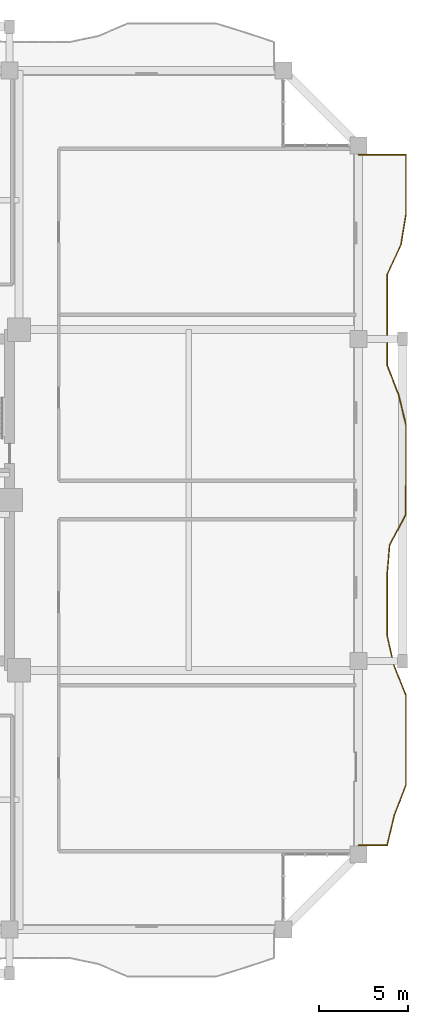
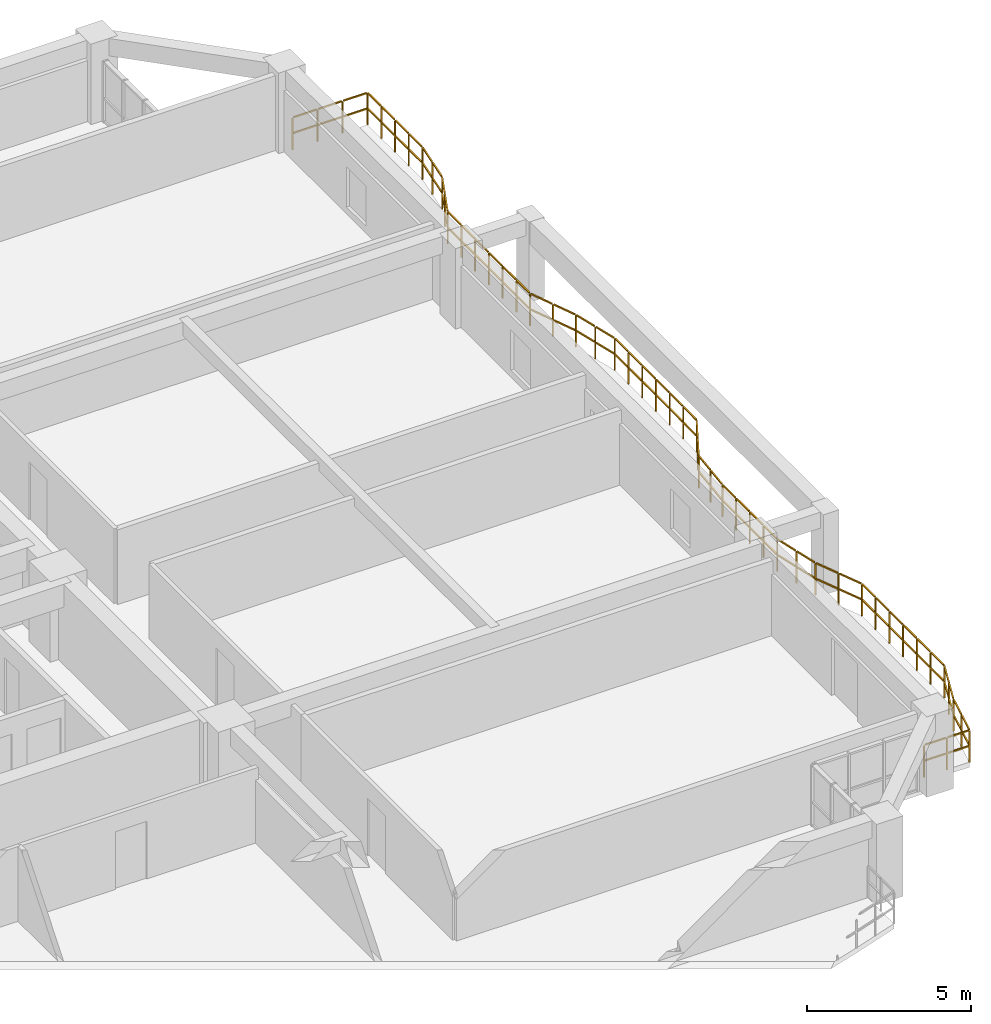
# One storey, part 21 of 22: 1 railing.
"""IFC4 building model written with IfcOpenShell, lengths in metres."""

from ifc_helpers import new_model, si_unit, direction, frame, origin, origin_2d, place, context, subcontext, project, spatial, rectangle, extrude, material, type_object, element, save


model = new_model("IFC4")

# Units and contexts
model_context = context("Model", 3, precision=1e-05, world=origin(), true_north=direction((0.0, 1.0)))
body_context = subcontext(model_context, "Body", "Model", "MODEL_VIEW")
ifc_project = project(units=[si_unit("LENGTHUNIT", "METRE"), si_unit("AREAUNIT", "SQUARE_METRE"), si_unit("VOLUMEUNIT", "CUBIC_METRE"), si_unit("PLANEANGLEUNIT", "RADIAN"), si_unit("MASSUNIT", "GRAM", prefix="KILO")], contexts=[model_context])

# Site, building, storey
site_placement = place(None, origin())
site = spatial("IfcSite", under=ifc_project, at=site_placement, CompositionType="ELEMENT")
building_placement = place(site_placement, origin())
building = spatial("IfcBuilding", under=site, at=building_placement, Name="Saelheon Loggia Tower", CompositionType="ELEMENT")
storey_placement = place(building_placement, frame((0.0, 0.0, 135.75)))
storey = spatial("IfcBuildingStorey", under=building, at=storey_placement, Name="L43", CompositionType="ELEMENT", Elevation=135.75)

# Railing
ifc_material = material(Name="Architectural Precast Concrete and Laminated Glass Guard", Category="concrete")
railing_type = type_object("IfcRailingType", Name="Guard_Loggia_RL_LOG", PredefinedType="BALUSTRADE", material=ifc_material)
railing_placement = place(storey_placement, frame((64.0, 7.699951171875, 0.0)))
element("IfcRailing", 1, at=railing_placement, inside=storey, type_object=railing_type, Name="L43 East Loggia Balustrade", PredefinedType="BALUSTRADE", context=body_context, shape_type="SweptSolid", body=[
    extrude(rectangle(XDim=0.048095703125, YDim=0.048095703125, at=origin_2d()), frame((0.033203125, 0.0, 1.19580078125), z_axis=(1.0, 0.0, 0.0), x_axis=(0.0, 1.0, 0.0)), (0.0, 0.0, 1.0), 0.733642578125),
    extrude(rectangle(XDim=0.048095703125, YDim=0.048095703125, at=origin_2d()), frame((0.033203125, 0.0, 0.60986328125), z_axis=(1.0, 0.0, 0.0), x_axis=(0.0, 1.0, 0.0)), (0.0, 0.0, 1.0), 0.733642578125),
    extrude(rectangle(XDim=0.048095703125, YDim=0.048095703125, at=origin_2d()), frame((0.833251953125, 0.0, 1.19580078125), z_axis=(1.0, 0.0, 0.0), x_axis=(0.0, 1.0, 0.0)), (0.0, 0.0, 1.0), 0.733642578125),
    extrude(rectangle(XDim=0.048095703125, YDim=0.048095703125, at=origin_2d()), frame((0.833251953125, 0.0, 0.60986328125), z_axis=(1.0, 0.0, 0.0), x_axis=(0.0, 1.0, 0.0)), (0.0, 0.0, 1.0), 0.733642578125),
    extrude(rectangle(XDim=0.048095703125, YDim=0.048095703125, at=origin_2d()), frame((1.60791015625, 0.0322265625, 1.19580078125), z_axis=(0.233105455965, 0.972451462233, 0.0), x_axis=(-0.972451462233, 0.233105455965, 0.0)), (0.0, 0.0, 1.0), 0.796630859375),
    extrude(rectangle(XDim=0.048095703125, YDim=0.048095703125, at=origin_2d()), frame((1.60791015625, 0.0322265625, 0.60986328125), z_axis=(0.233105455965, 0.972451462233, 0.0), x_axis=(-0.972451462233, 0.233105455965, 0.0)), (0.0, 0.0, 1.0), 0.796630859375),
    extrude(rectangle(XDim=0.048095703125, YDim=0.048095703125, at=origin_2d()), frame((1.80908203125, 0.87158203125, 1.19580078125), z_axis=(0.233105455965, 0.972451462233, 0.0), x_axis=(-0.972451462233, 0.233105455965, 0.0)), (0.0, 0.0, 1.0), 0.796630859375),
    extrude(rectangle(XDim=0.048095703125, YDim=0.048095703125, at=origin_2d()), frame((1.80908203125, 0.87158203125, 0.60986328125), z_axis=(0.233105455965, 0.972451462233, 0.0), x_axis=(-0.972451462233, 0.233105455965, 0.0)), (0.0, 0.0, 1.0), 0.796630859375),
    extrude(rectangle(XDim=0.048095703125, YDim=0.048095703125, at=origin_2d()), frame((2.014404296875, 1.70947265625, 1.19580078125), z_axis=(0.359988539971, 0.932956725197, 0.0), x_axis=(-0.932956725197, 0.359988539971, 0.0)), (0.0, 0.0, 1.0), 0.832763671875),
    extrude(rectangle(XDim=0.048095703125, YDim=0.048095703125, at=origin_2d()), frame((2.014404296875, 1.70947265625, 0.60986328125), z_axis=(0.359988539971, 0.932956725197, 0.0), x_axis=(-0.932956725197, 0.359988539971, 0.0)), (0.0, 0.0, 1.0), 0.832763671875),
    extrude(rectangle(XDim=0.048095703125, YDim=0.048095703125, at=origin_2d()), frame((2.338134765625, 2.548583984375, 1.19580078125), z_axis=(0.359988539971, 0.932956725197, 0.0), x_axis=(-0.932956725197, 0.359988539971, 0.0)), (0.0, 0.0, 1.0), 0.832763671875),
    extrude(rectangle(XDim=0.048095703125, YDim=0.048095703125, at=origin_2d()), frame((2.338134765625, 2.548583984375, 0.60986328125), z_axis=(0.359988539971, 0.932956725197, 0.0), x_axis=(-0.932956725197, 0.359988539971, 0.0)), (0.0, 0.0, 1.0), 0.832763671875),
    extrude(rectangle(XDim=0.048095703125, YDim=0.048095703125, at=origin_2d()), frame((2.64990234375, 3.3896484375, 1.19580078125), z_axis=(0.0, 1.0, 0.0), x_axis=(-1.0, 0.0, 0.0)), (0.0, 0.0, 1.0), 0.772705078125),
    extrude(rectangle(XDim=0.048095703125, YDim=0.048095703125, at=origin_2d()), frame((2.64990234375, 3.3896484375, 0.60986328125), z_axis=(0.0, 1.0, 0.0), x_axis=(-1.0, 0.0, 0.0)), (0.0, 0.0, 1.0), 0.772705078125),
    extrude(rectangle(XDim=0.048095703125, YDim=0.048095703125, at=origin_2d()), frame((2.64990234375, 4.22900390625, 1.19580078125), z_axis=(0.0, 1.0, 0.0), x_axis=(-1.0, 0.0, 0.0)), (0.0, 0.0, 1.0), 0.772705078125),
    extrude(rectangle(XDim=0.048095703125, YDim=0.048095703125, at=origin_2d()), frame((2.64990234375, 4.22900390625, 0.60986328125), z_axis=(0.0, 1.0, 0.0), x_axis=(-1.0, 0.0, 0.0)), (0.0, 0.0, 1.0), 0.772705078125),
    extrude(rectangle(XDim=0.048095703125, YDim=0.048095703125, at=origin_2d()), frame((2.64990234375, 5.068115234375, 1.19580078125), z_axis=(0.0, 1.0, 0.0), x_axis=(-1.0, 0.0, 0.0)), (0.0, 0.0, 1.0), 0.772705078125),
    extrude(rectangle(XDim=0.048095703125, YDim=0.048095703125, at=origin_2d()), frame((2.64990234375, 5.068115234375, 0.60986328125), z_axis=(0.0, 1.0, 0.0), x_axis=(-1.0, 0.0, 0.0)), (0.0, 0.0, 1.0), 0.772705078125),
    extrude(rectangle(XDim=0.048095703125, YDim=0.048095703125, at=origin_2d()), frame((2.64990234375, 5.9072265625, 1.19580078125), z_axis=(0.0, 1.0, 0.0), x_axis=(-1.0, 0.0, 0.0)), (0.0, 0.0, 1.0), 0.772705078125),
    extrude(rectangle(XDim=0.048095703125, YDim=0.048095703125, at=origin_2d()), frame((2.64990234375, 5.9072265625, 0.60986328125), z_axis=(0.0, 1.0, 0.0), x_axis=(-1.0, 0.0, 0.0)), (0.0, 0.0, 1.0), 0.772705078125),
    extrude(rectangle(XDim=0.048095703125, YDim=0.048095703125, at=origin_2d()), frame((2.64990234375, 6.746337890625, 1.19580078125), z_axis=(0.0, 1.0, 0.0), x_axis=(-1.0, 0.0, 0.0)), (0.0, 0.0, 1.0), 0.772705078125),
    extrude(rectangle(XDim=0.048095703125, YDim=0.048095703125, at=origin_2d()), frame((2.64990234375, 6.746337890625, 0.60986328125), z_axis=(0.0, 1.0, 0.0), x_axis=(-1.0, 0.0, 0.0)), (0.0, 0.0, 1.0), 0.772705078125),
    extrude(rectangle(XDim=0.048095703125, YDim=0.048095703125, at=origin_2d()), frame((2.64990234375, 7.58544921875, 1.19580078125), z_axis=(0.0, 1.0, 0.0), x_axis=(-1.0, 0.0, 0.0)), (0.0, 0.0, 1.0), 0.772705078125),
    extrude(rectangle(XDim=0.048095703125, YDim=0.048095703125, at=origin_2d()), frame((2.64990234375, 7.58544921875, 0.60986328125), z_axis=(0.0, 1.0, 0.0), x_axis=(-1.0, 0.0, 0.0)), (0.0, 0.0, 1.0), 0.772705078125),
    extrude(rectangle(XDim=0.048095703125, YDim=0.048095703125, at=origin_2d()), frame((2.637451171875, 8.422119140625, 1.19580078125), z_axis=(-0.372251854994, 0.928131755977, 0.0), x_axis=(-0.928131755977, -0.372251854994, 0.0)), (0.0, 0.0, 1.0), 0.837646484375),
    extrude(rectangle(XDim=0.048095703125, YDim=0.048095703125, at=origin_2d()), frame((2.637451171875, 8.422119140625, 0.60986328125), z_axis=(-0.372251854994, 0.928131755977, 0.0), x_axis=(-0.928131755977, -0.372251854994, 0.0)), (0.0, 0.0, 1.0), 0.837646484375),
    extrude(rectangle(XDim=0.048095703125, YDim=0.048095703125, at=origin_2d()), frame((2.301025390625, 9.26123046875, 1.19580078125), z_axis=(-0.372251854994, 0.928131755977, 0.0), x_axis=(-0.928131755977, -0.372251854994, 0.0)), (0.0, 0.0, 1.0), 0.837646484375),
    extrude(rectangle(XDim=0.048095703125, YDim=0.048095703125, at=origin_2d()), frame((2.301025390625, 9.26123046875, 0.60986328125), z_axis=(-0.372251854994, 0.928131755977, 0.0), x_axis=(-0.928131755977, -0.372251854994, 0.0)), (0.0, 0.0, 1.0), 0.837646484375),
    extrude(rectangle(XDim=0.048095703125, YDim=0.048095703125, at=origin_2d()), frame((1.969482421875, 10.10205078125, 1.19580078125), z_axis=(-0.219019037478, 0.97572058563, 0.0), x_axis=(-0.97572058563, -0.219019037478, 0.0)), (0.0, 0.0, 1.0), 0.79345703125),
    extrude(rectangle(XDim=0.048095703125, YDim=0.048095703125, at=origin_2d()), frame((1.969482421875, 10.10205078125, 0.60986328125), z_axis=(-0.219019037478, 0.97572058563, 0.0), x_axis=(-0.97572058563, -0.219019037478, 0.0)), (0.0, 0.0, 1.0), 0.79345703125),
    extrude(rectangle(XDim=0.048095703125, YDim=0.048095703125, at=origin_2d()), frame((1.78125, 10.941162109375, 1.19580078125), z_axis=(-0.219019037478, 0.97572058563, 0.0), x_axis=(-0.97572058563, -0.219019037478, 0.0)), (0.0, 0.0, 1.0), 0.79345703125),
    extrude(rectangle(XDim=0.048095703125, YDim=0.048095703125, at=origin_2d()), frame((1.78125, 10.941162109375, 0.60986328125), z_axis=(-0.219019037478, 0.97572058563, 0.0), x_axis=(-0.97572058563, -0.219019037478, 0.0)), (0.0, 0.0, 1.0), 0.79345703125),
    extrude(rectangle(XDim=0.048095703125, YDim=0.048095703125, at=origin_2d()), frame((1.60009765625, 11.781005859375, 1.19580078125), z_axis=(0.0, 1.0, 0.0), x_axis=(-1.0, 0.0, 0.0)), (0.0, 0.0, 1.0), 0.772705078125),
    extrude(rectangle(XDim=0.048095703125, YDim=0.048095703125, at=origin_2d()), frame((1.60009765625, 11.781005859375, 0.60986328125), z_axis=(0.0, 1.0, 0.0), x_axis=(-1.0, 0.0, 0.0)), (0.0, 0.0, 1.0), 0.772705078125),
    extrude(rectangle(XDim=0.048095703125, YDim=0.048095703125, at=origin_2d()), frame((1.60009765625, 12.620361328125, 1.19580078125), z_axis=(0.0, 1.0, 0.0), x_axis=(-1.0, 0.0, 0.0)), (0.0, 0.0, 1.0), 0.772705078125),
    extrude(rectangle(XDim=0.048095703125, YDim=0.048095703125, at=origin_2d()), frame((1.60009765625, 12.620361328125, 0.60986328125), z_axis=(0.0, 1.0, 0.0), x_axis=(-1.0, 0.0, 0.0)), (0.0, 0.0, 1.0), 0.772705078125),
    extrude(rectangle(XDim=0.048095703125, YDim=0.048095703125, at=origin_2d()), frame((1.60009765625, 13.45947265625, 1.19580078125), z_axis=(0.0, 1.0, 0.0), x_axis=(-1.0, 0.0, 0.0)), (0.0, 0.0, 1.0), 0.7724609375),
    extrude(rectangle(XDim=0.048095703125, YDim=0.048095703125, at=origin_2d()), frame((1.60009765625, 13.45947265625, 0.60986328125), z_axis=(0.0, 1.0, 0.0), x_axis=(-1.0, 0.0, 0.0)), (0.0, 0.0, 1.0), 0.7724609375),
    extrude(rectangle(XDim=0.048095703125, YDim=0.048095703125, at=origin_2d()), frame((1.60009765625, 14.298583984375, 1.19580078125), z_axis=(0.0, 1.0, 0.0), x_axis=(-1.0, 0.0, 0.0)), (0.0, 0.0, 1.0), 0.7724609375),
    extrude(rectangle(XDim=0.048095703125, YDim=0.048095703125, at=origin_2d()), frame((1.60009765625, 14.298583984375, 0.60986328125), z_axis=(0.0, 1.0, 0.0), x_axis=(-1.0, 0.0, 0.0)), (0.0, 0.0, 1.0), 0.7724609375),
    extrude(rectangle(XDim=0.048095703125, YDim=0.048095703125, at=origin_2d()), frame((1.602783203125, 15.137451171875, 1.19580078125), z_axis=(0.082769561471, 0.996568712982, 0.0), x_axis=(-0.996568712982, 0.082769561471, 0.0)), (0.0, 0.0, 1.0), 0.775634765625),
    extrude(rectangle(XDim=0.048095703125, YDim=0.048095703125, at=origin_2d()), frame((1.602783203125, 15.137451171875, 0.60986328125), z_axis=(0.082769561471, 0.996568712982, 0.0), x_axis=(-0.996568712982, 0.082769561471, 0.0)), (0.0, 0.0, 1.0), 0.775634765625),
    extrude(rectangle(XDim=0.048095703125, YDim=0.048095703125, at=origin_2d()), frame((1.672607421875, 15.9765625, 1.19580078125), z_axis=(0.082769561471, 0.996568712982, 0.0), x_axis=(-0.996568712982, 0.082769561471, 0.0)), (0.0, 0.0, 1.0), 0.775634765625),
    extrude(rectangle(XDim=0.048095703125, YDim=0.048095703125, at=origin_2d()), frame((1.672607421875, 15.9765625, 0.60986328125), z_axis=(0.082769561471, 0.996568712982, 0.0), x_axis=(-0.996568712982, 0.082769561471, 0.0)), (0.0, 0.0, 1.0), 0.775634765625),
    extrude(rectangle(XDim=0.048095703125, YDim=0.048095703125, at=origin_2d()), frame((1.755126953125, 16.81201171875, 1.19580078125), z_axis=(0.470474964031, 0.882413343179, 0.0), x_axis=(-0.882413343179, 0.470474964031, 0.0)), (0.0, 0.0, 1.0), 0.884521484375),
    extrude(rectangle(XDim=0.048095703125, YDim=0.048095703125, at=origin_2d()), frame((1.755126953125, 16.81201171875, 0.60986328125), z_axis=(0.470474964031, 0.882413343179, 0.0), x_axis=(-0.882413343179, 0.470474964031, 0.0)), (0.0, 0.0, 1.0), 0.884521484375),
    extrude(rectangle(XDim=0.048095703125, YDim=0.048095703125, at=origin_2d()), frame((2.20263671875, 17.651123046875, 1.19580078125), z_axis=(0.470474964031, 0.882413343179, 0.0), x_axis=(-0.882413343179, 0.470474964031, 0.0)), (0.0, 0.0, 1.0), 0.884521484375),
    extrude(rectangle(XDim=0.048095703125, YDim=0.048095703125, at=origin_2d()), frame((2.20263671875, 17.651123046875, 0.60986328125), z_axis=(0.470474964031, 0.882413343179, 0.0), x_axis=(-0.882413343179, 0.470474964031, 0.0)), (0.0, 0.0, 1.0), 0.884521484375),
    extrude(rectangle(XDim=0.048095703125, YDim=0.048095703125, at=origin_2d()), frame((2.634521484375, 18.494140625, 1.19580078125), z_axis=(0.009310041647, 0.999956660623, 0.0), x_axis=(-0.999956660623, 0.009310041647, 0.0)), (0.0, 0.0, 1.0), 0.772705078125),
    extrude(rectangle(XDim=0.048095703125, YDim=0.048095703125, at=origin_2d()), frame((2.634521484375, 18.494140625, 0.60986328125), z_axis=(0.009310041647, 0.999956660623, 0.0), x_axis=(-0.999956660623, 0.009310041647, 0.0)), (0.0, 0.0, 1.0), 0.772705078125),
    extrude(rectangle(XDim=0.048095703125, YDim=0.048095703125, at=origin_2d()), frame((2.642333984375, 19.333251953125, 1.19580078125), z_axis=(0.009310041647, 0.999956660623, 0.0), x_axis=(-0.999956660623, 0.009310041647, 0.0)), (0.0, 0.0, 1.0), 0.772705078125),
    extrude(rectangle(XDim=0.048095703125, YDim=0.048095703125, at=origin_2d()), frame((2.642333984375, 19.333251953125, 0.60986328125), z_axis=(0.009310041647, 0.999956660623, 0.0), x_axis=(-0.999956660623, 0.009310041647, 0.0)), (0.0, 0.0, 1.0), 0.772705078125),
    extrude(rectangle(XDim=0.048095703125, YDim=0.048095703125, at=origin_2d()), frame((2.64990234375, 20.17236328125, 1.19580078125), z_axis=(0.0, 1.0, 0.0), x_axis=(-1.0, 0.0, 0.0)), (0.0, 0.0, 1.0), 0.772705078125),
    extrude(rectangle(XDim=0.048095703125, YDim=0.048095703125, at=origin_2d()), frame((2.64990234375, 20.17236328125, 0.60986328125), z_axis=(0.0, 1.0, 0.0), x_axis=(-1.0, 0.0, 0.0)), (0.0, 0.0, 1.0), 0.772705078125),
    extrude(rectangle(XDim=0.048095703125, YDim=0.048095703125, at=origin_2d()), frame((2.64990234375, 21.011474609375, 1.19580078125), z_axis=(0.0, 1.0, 0.0), x_axis=(-1.0, 0.0, 0.0)), (0.0, 0.0, 1.0), 0.772705078125),
    extrude(rectangle(XDim=0.048095703125, YDim=0.048095703125, at=origin_2d()), frame((2.64990234375, 21.011474609375, 0.60986328125), z_axis=(0.0, 1.0, 0.0), x_axis=(-1.0, 0.0, 0.0)), (0.0, 0.0, 1.0), 0.772705078125),
    extrude(rectangle(XDim=0.048095703125, YDim=0.048095703125, at=origin_2d()), frame((2.64990234375, 21.8505859375, 1.19580078125), z_axis=(0.0, 1.0, 0.0), x_axis=(-1.0, 0.0, 0.0)), (0.0, 0.0, 1.0), 0.772705078125),
    extrude(rectangle(XDim=0.048095703125, YDim=0.048095703125, at=origin_2d()), frame((2.64990234375, 21.8505859375, 0.60986328125), z_axis=(0.0, 1.0, 0.0), x_axis=(-1.0, 0.0, 0.0)), (0.0, 0.0, 1.0), 0.772705078125),
    extrude(rectangle(XDim=0.048095703125, YDim=0.048095703125, at=origin_2d()), frame((2.64990234375, 22.68994140625, 1.19580078125), z_axis=(0.0, 1.0, 0.0), x_axis=(-1.0, 0.0, 0.0)), (0.0, 0.0, 1.0), 0.772705078125),
    extrude(rectangle(XDim=0.048095703125, YDim=0.048095703125, at=origin_2d()), frame((2.64990234375, 22.68994140625, 0.60986328125), z_axis=(0.0, 1.0, 0.0), x_axis=(-1.0, 0.0, 0.0)), (0.0, 0.0, 1.0), 0.772705078125),
    extrude(rectangle(XDim=0.048095703125, YDim=0.048095703125, at=origin_2d()), frame((2.64208984375, 23.528076171875, 1.19580078125), z_axis=(-0.234239529091, 0.972178915124, 0.0), x_axis=(-0.972178915124, -0.234239529091, 0.0)), (0.0, 0.0, 1.0), 0.796630859375),
    extrude(rectangle(XDim=0.048095703125, YDim=0.048095703125, at=origin_2d()), frame((2.64208984375, 23.528076171875, 0.60986328125), z_axis=(-0.234239529091, 0.972178915124, 0.0), x_axis=(-0.972178915124, -0.234239529091, 0.0)), (0.0, 0.0, 1.0), 0.796630859375),
    extrude(rectangle(XDim=0.048095703125, YDim=0.048095703125, at=origin_2d()), frame((2.43994140625, 24.3671875, 1.19580078125), z_axis=(-0.234239529091, 0.972178915124, 0.0), x_axis=(-0.972178915124, -0.234239529091, 0.0)), (0.0, 0.0, 1.0), 0.796630859375),
    extrude(rectangle(XDim=0.048095703125, YDim=0.048095703125, at=origin_2d()), frame((2.43994140625, 24.3671875, 0.60986328125), z_axis=(-0.234239529091, 0.972178915124, 0.0), x_axis=(-0.972178915124, -0.234239529091, 0.0)), (0.0, 0.0, 1.0), 0.796630859375),
    extrude(rectangle(XDim=0.048095703125, YDim=0.048095703125, at=origin_2d()), frame((2.233642578125, 25.204833984375, 1.19580078125), z_axis=(-0.358951787018, 0.93335610278, 0.0), x_axis=(-0.93335610278, -0.358951787018, 0.0)), (0.0, 0.0, 1.0), 0.832763671875),
    extrude(rectangle(XDim=0.048095703125, YDim=0.048095703125, at=origin_2d()), frame((2.233642578125, 25.204833984375, 0.60986328125), z_axis=(-0.358951787018, 0.93335610278, 0.0), x_axis=(-0.93335610278, -0.358951787018, 0.0)), (0.0, 0.0, 1.0), 0.832763671875),
    extrude(rectangle(XDim=0.048095703125, YDim=0.048095703125, at=origin_2d()), frame((1.910888671875, 26.044189453125, 1.19580078125), z_axis=(-0.358951787018, 0.93335610278, 0.0), x_axis=(-0.93335610278, -0.358951787018, 0.0)), (0.0, 0.0, 1.0), 0.832763671875),
    extrude(rectangle(XDim=0.048095703125, YDim=0.048095703125, at=origin_2d()), frame((1.910888671875, 26.044189453125, 0.60986328125), z_axis=(-0.358951787018, 0.93335610278, 0.0), x_axis=(-0.93335610278, -0.358951787018, 0.0)), (0.0, 0.0, 1.0), 0.832763671875),
    extrude(rectangle(XDim=0.048095703125, YDim=0.048095703125, at=origin_2d()), frame((1.60009765625, 26.885498046875, 1.19580078125), z_axis=(0.0, 1.0, 0.0), x_axis=(-1.0, 0.0, 0.0)), (0.0, 0.0, 1.0), 0.772705078125),
    extrude(rectangle(XDim=0.048095703125, YDim=0.048095703125, at=origin_2d()), frame((1.60009765625, 26.885498046875, 0.60986328125), z_axis=(0.0, 1.0, 0.0), x_axis=(-1.0, 0.0, 0.0)), (0.0, 0.0, 1.0), 0.772705078125),
    extrude(rectangle(XDim=0.048095703125, YDim=0.048095703125, at=origin_2d()), frame((1.60009765625, 27.724609375, 1.19580078125), z_axis=(0.0, 1.0, 0.0), x_axis=(-1.0, 0.0, 0.0)), (0.0, 0.0, 1.0), 0.772705078125),
    extrude(rectangle(XDim=0.048095703125, YDim=0.048095703125, at=origin_2d()), frame((1.60009765625, 27.724609375, 0.60986328125), z_axis=(0.0, 1.0, 0.0), x_axis=(-1.0, 0.0, 0.0)), (0.0, 0.0, 1.0), 0.772705078125),
    extrude(rectangle(XDim=0.048095703125, YDim=0.048095703125, at=origin_2d()), frame((1.60009765625, 28.563720703125, 1.19580078125), z_axis=(0.0, 1.0, 0.0), x_axis=(-1.0, 0.0, 0.0)), (0.0, 0.0, 1.0), 0.772705078125),
    extrude(rectangle(XDim=0.048095703125, YDim=0.048095703125, at=origin_2d()), frame((1.60009765625, 28.563720703125, 0.60986328125), z_axis=(0.0, 1.0, 0.0), x_axis=(-1.0, 0.0, 0.0)), (0.0, 0.0, 1.0), 0.772705078125),
    extrude(rectangle(XDim=0.048095703125, YDim=0.048095703125, at=origin_2d()), frame((1.60009765625, 29.40283203125, 1.19580078125), z_axis=(0.0, 1.0, 0.0), x_axis=(-1.0, 0.0, 0.0)), (0.0, 0.0, 1.0), 0.772705078125),
    extrude(rectangle(XDim=0.048095703125, YDim=0.048095703125, at=origin_2d()), frame((1.60009765625, 29.40283203125, 0.60986328125), z_axis=(0.0, 1.0, 0.0), x_axis=(-1.0, 0.0, 0.0)), (0.0, 0.0, 1.0), 0.772705078125),
    extrude(rectangle(XDim=0.048095703125, YDim=0.048095703125, at=origin_2d()), frame((1.60009765625, 30.241943359375, 1.19580078125), z_axis=(0.0, 1.0, 0.0), x_axis=(-1.0, 0.0, 0.0)), (0.0, 0.0, 1.0), 0.772705078125),
    extrude(rectangle(XDim=0.048095703125, YDim=0.048095703125, at=origin_2d()), frame((1.60009765625, 30.241943359375, 0.60986328125), z_axis=(0.0, 1.0, 0.0), x_axis=(-1.0, 0.0, 0.0)), (0.0, 0.0, 1.0), 0.772705078125),
    extrude(rectangle(XDim=0.048095703125, YDim=0.048095703125, at=origin_2d()), frame((1.60009765625, 31.0810546875, 1.19580078125), z_axis=(0.0, 1.0, 0.0), x_axis=(-1.0, 0.0, 0.0)), (0.0, 0.0, 1.0), 0.772705078125),
    extrude(rectangle(XDim=0.048095703125, YDim=0.048095703125, at=origin_2d()), frame((1.60009765625, 31.0810546875, 0.60986328125), z_axis=(0.0, 1.0, 0.0), x_axis=(-1.0, 0.0, 0.0)), (0.0, 0.0, 1.0), 0.772705078125),
    extrude(rectangle(XDim=0.048095703125, YDim=0.048095703125, at=origin_2d()), frame((1.614013671875, 31.917236328125, 1.19580078125), z_axis=(0.419100057061, 0.907940054283, 0.0), x_axis=(-0.907940054283, 0.419100057061, 0.0)), (0.0, 0.0, 1.0), 0.857666015625),
    extrude(rectangle(XDim=0.048095703125, YDim=0.048095703125, at=origin_2d()), frame((1.614013671875, 31.917236328125, 0.60986328125), z_axis=(0.419100057061, 0.907940054283, 0.0), x_axis=(-0.907940054283, 0.419100057061, 0.0)), (0.0, 0.0, 1.0), 0.857666015625),
    extrude(rectangle(XDim=0.048095703125, YDim=0.048095703125, at=origin_2d()), frame((2.00146484375, 32.75634765625, 1.19580078125), z_axis=(0.419100057061, 0.907940054283, 0.0), x_axis=(-0.907940054283, 0.419100057061, 0.0)), (0.0, 0.0, 1.0), 0.857666015625),
    extrude(rectangle(XDim=0.048095703125, YDim=0.048095703125, at=origin_2d()), frame((2.00146484375, 32.75634765625, 0.60986328125), z_axis=(0.419100057061, 0.907940054283, 0.0), x_axis=(-0.907940054283, 0.419100057061, 0.0)), (0.0, 0.0, 1.0), 0.857666015625),
    extrude(rectangle(XDim=0.048095703125, YDim=0.048095703125, at=origin_2d()), frame((2.380126953125, 33.597900390625, 1.19580078125), z_axis=(0.16176815253, 0.986828792054, 0.0), x_axis=(-0.986828792054, 0.16176815253, 0.0)), (0.0, 0.0, 1.0), 0.783935546875),
    extrude(rectangle(XDim=0.048095703125, YDim=0.048095703125, at=origin_2d()), frame((2.380126953125, 33.597900390625, 0.60986328125), z_axis=(0.16176815253, 0.986828792054, 0.0), x_axis=(-0.986828792054, 0.16176815253, 0.0)), (0.0, 0.0, 1.0), 0.783935546875),
    extrude(rectangle(XDim=0.048095703125, YDim=0.048095703125, at=origin_2d()), frame((2.517822265625, 34.437255859375, 1.19580078125), z_axis=(0.16176815253, 0.986828792054, 0.0), x_axis=(-0.986828792054, 0.16176815253, 0.0)), (0.0, 0.0, 1.0), 0.783935546875),
    extrude(rectangle(XDim=0.048095703125, YDim=0.048095703125, at=origin_2d()), frame((2.517822265625, 34.437255859375, 0.60986328125), z_axis=(0.16176815253, 0.986828792054, 0.0), x_axis=(-0.986828792054, 0.16176815253, 0.0)), (0.0, 0.0, 1.0), 0.783935546875),
    extrude(rectangle(XDim=0.048095703125, YDim=0.048095703125, at=origin_2d()), frame((2.64990234375, 35.27685546875, 1.19580078125), z_axis=(0.0, 1.0, 0.0), x_axis=(-1.0, 0.0, 0.0)), (0.0, 0.0, 1.0), 0.7724609375),
    extrude(rectangle(XDim=0.048095703125, YDim=0.048095703125, at=origin_2d()), frame((2.64990234375, 35.27685546875, 0.60986328125), z_axis=(0.0, 1.0, 0.0), x_axis=(-1.0, 0.0, 0.0)), (0.0, 0.0, 1.0), 0.7724609375),
    extrude(rectangle(XDim=0.048095703125, YDim=0.048095703125, at=origin_2d()), frame((2.64990234375, 36.115966796875, 1.19580078125), z_axis=(0.0, 1.0, 0.0), x_axis=(-1.0, 0.0, 0.0)), (0.0, 0.0, 1.0), 0.7724609375),
    extrude(rectangle(XDim=0.048095703125, YDim=0.048095703125, at=origin_2d()), frame((2.64990234375, 36.115966796875, 0.60986328125), z_axis=(0.0, 1.0, 0.0), x_axis=(-1.0, 0.0, 0.0)), (0.0, 0.0, 1.0), 0.7724609375),
    extrude(rectangle(XDim=0.048095703125, YDim=0.048095703125, at=origin_2d()), frame((2.64990234375, 36.954833984375, 1.19580078125), z_axis=(0.0, 1.0, 0.0), x_axis=(-1.0, 0.0, 0.0)), (0.0, 0.0, 1.0), 0.772705078125),
    extrude(rectangle(XDim=0.048095703125, YDim=0.048095703125, at=origin_2d()), frame((2.64990234375, 36.954833984375, 0.60986328125), z_axis=(0.0, 1.0, 0.0), x_axis=(-1.0, 0.0, 0.0)), (0.0, 0.0, 1.0), 0.772705078125),
    extrude(rectangle(XDim=0.048095703125, YDim=0.048095703125, at=origin_2d()), frame((2.64990234375, 37.794189453125, 1.19580078125), z_axis=(0.0, 1.0, 0.0), x_axis=(-1.0, 0.0, 0.0)), (0.0, 0.0, 1.0), 0.772705078125),
    extrude(rectangle(XDim=0.048095703125, YDim=0.048095703125, at=origin_2d()), frame((2.64990234375, 37.794189453125, 0.60986328125), z_axis=(0.0, 1.0, 0.0), x_axis=(-1.0, 0.0, 0.0)), (0.0, 0.0, 1.0), 0.772705078125),
    extrude(rectangle(XDim=0.048095703125, YDim=0.048095703125, at=origin_2d()), frame((2.61669921875, 38.60009765625, 1.19580078125), z_axis=(-1.0, 0.0, 0.0), x_axis=(0.0, -1.0, 0.0)), (0.0, 0.0, 1.0), 0.81689453125),
    extrude(rectangle(XDim=0.048095703125, YDim=0.048095703125, at=origin_2d()), frame((2.61669921875, 38.60009765625, 0.60986328125), z_axis=(-1.0, 0.0, 0.0), x_axis=(0.0, -1.0, 0.0)), (0.0, 0.0, 1.0), 0.81689453125),
    extrude(rectangle(XDim=0.048095703125, YDim=0.048095703125, at=origin_2d()), frame((1.7333984375, 38.60009765625, 1.19580078125), z_axis=(-1.0, 0.0, 0.0), x_axis=(0.0, -1.0, 0.0)), (0.0, 0.0, 1.0), 0.81689453125),
    extrude(rectangle(XDim=0.048095703125, YDim=0.048095703125, at=origin_2d()), frame((1.7333984375, 38.60009765625, 0.60986328125), z_axis=(-1.0, 0.0, 0.0), x_axis=(0.0, -1.0, 0.0)), (0.0, 0.0, 1.0), 0.81689453125),
    extrude(rectangle(XDim=0.048095703125, YDim=0.048095703125, at=origin_2d()), frame((0.85009765625, 38.60009765625, 1.19580078125), z_axis=(-1.0, 0.0, 0.0), x_axis=(0.0, -1.0, 0.0)), (0.0, 0.0, 1.0), 0.81689453125),
    extrude(rectangle(XDim=0.048095703125, YDim=0.048095703125, at=origin_2d()), frame((0.85009765625, 38.60009765625, 0.60986328125), z_axis=(-1.0, 0.0, 0.0), x_axis=(0.0, -1.0, 0.0)), (0.0, 0.0, 1.0), 0.81689453125),
    extrude(rectangle(XDim=0.0419921875, YDim=0.0419921875, at=origin_2d()), origin(), (0.0, 0.0, 1.0), 1.16796875),
    extrude(rectangle(XDim=0.0419921875, YDim=0.0419921875, at=origin_2d()), frame((0.800048828125, 0.0, 0.0)), (0.0, 0.0, 1.0), 1.16796875),
    extrude(rectangle(XDim=0.0419921875, YDim=0.0419921875, at=origin_2d()), frame((1.60009765625, 0.0, 0.0)), (0.0, 0.0, 1.0), 1.16796875),
    extrude(rectangle(XDim=0.0419921875, YDim=0.0419921875, at=origin_2d()), frame((1.80126953125, 0.83935546875, 0.0)), (0.0, 0.0, 1.0), 1.16796875),
    extrude(rectangle(XDim=0.0419921875, YDim=0.0419921875, at=origin_2d()), frame((2.00244140625, 1.678466796875, 0.0)), (0.0, 0.0, 1.0), 1.16796875),
    extrude(rectangle(XDim=0.0419921875, YDim=0.0419921875, at=origin_2d()), frame((2.326171875, 2.517578125, 0.0)), (0.0, 0.0, 1.0), 1.16796875),
    extrude(rectangle(XDim=0.0419921875, YDim=0.0419921875, at=origin_2d()), frame((2.64990234375, 3.3564453125, 0.0)), (0.0, 0.0, 1.0), 1.16796875),
    extrude(rectangle(XDim=0.0419921875, YDim=0.0419921875, at=origin_2d()), frame((2.64990234375, 4.19580078125, 0.0)), (0.0, 0.0, 1.0), 1.16796875),
    extrude(rectangle(XDim=0.0419921875, YDim=0.0419921875, at=origin_2d()), frame((2.64990234375, 5.034912109375, 0.0)), (0.0, 0.0, 1.0), 1.16796875),
    extrude(rectangle(XDim=0.0419921875, YDim=0.0419921875, at=origin_2d()), frame((2.64990234375, 5.8740234375, 0.0)), (0.0, 0.0, 1.0), 1.16796875),
    extrude(rectangle(XDim=0.0419921875, YDim=0.0419921875, at=origin_2d()), frame((2.64990234375, 6.713134765625, 0.0)), (0.0, 0.0, 1.0), 1.16796875),
    extrude(rectangle(XDim=0.0419921875, YDim=0.0419921875, at=origin_2d()), frame((2.64990234375, 7.55224609375, 0.0)), (0.0, 0.0, 1.0), 1.16796875),
    extrude(rectangle(XDim=0.0419921875, YDim=0.0419921875, at=origin_2d()), frame((2.64990234375, 8.391357421875, 0.0)), (0.0, 0.0, 1.0), 1.16796875),
    extrude(rectangle(XDim=0.0419921875, YDim=0.0419921875, at=origin_2d()), frame((2.3134765625, 9.23046875, 0.0)), (0.0, 0.0, 1.0), 1.16796875),
    extrude(rectangle(XDim=0.0419921875, YDim=0.0419921875, at=origin_2d()), frame((1.976806640625, 10.069580078125, 0.0)), (0.0, 0.0, 1.0), 1.16796875),
    extrude(rectangle(XDim=0.0419921875, YDim=0.0419921875, at=origin_2d()), frame((1.78857421875, 10.90869140625, 0.0)), (0.0, 0.0, 1.0), 1.16796875),
    extrude(rectangle(XDim=0.0419921875, YDim=0.0419921875, at=origin_2d()), frame((1.60009765625, 11.747802734375, 0.0)), (0.0, 0.0, 1.0), 1.16796875),
    extrude(rectangle(XDim=0.0419921875, YDim=0.0419921875, at=origin_2d()), frame((1.60009765625, 12.5869140625, 0.0)), (0.0, 0.0, 1.0), 1.16796875),
    extrude(rectangle(XDim=0.0419921875, YDim=0.0419921875, at=origin_2d()), frame((1.60009765625, 13.42626953125, 0.0)), (0.0, 0.0, 1.0), 1.16796875),
    extrude(rectangle(XDim=0.0419921875, YDim=0.0419921875, at=origin_2d()), frame((1.60009765625, 14.26513671875, 0.0)), (0.0, 0.0, 1.0), 1.16796875),
    extrude(rectangle(XDim=0.0419921875, YDim=0.0419921875, at=origin_2d()), frame((1.60009765625, 15.104248046875, 0.0)), (0.0, 0.0, 1.0), 1.16796875),
    extrude(rectangle(XDim=0.0419921875, YDim=0.0419921875, at=origin_2d()), frame((1.669921875, 15.943359375, 0.0)), (0.0, 0.0, 1.0), 1.16796875),
    extrude(rectangle(XDim=0.0419921875, YDim=0.0419921875, at=origin_2d()), frame((1.739501953125, 16.78271484375, 0.0)), (0.0, 0.0, 1.0), 1.16796875),
    extrude(rectangle(XDim=0.0419921875, YDim=0.0419921875, at=origin_2d()), frame((2.18701171875, 17.621826171875, 0.0)), (0.0, 0.0, 1.0), 1.16796875),
    extrude(rectangle(XDim=0.0419921875, YDim=0.0419921875, at=origin_2d()), frame((2.63427734375, 18.4609375, 0.0)), (0.0, 0.0, 1.0), 1.16796875),
    extrude(rectangle(XDim=0.0419921875, YDim=0.0419921875, at=origin_2d()), frame((2.64208984375, 19.300048828125, 0.0)), (0.0, 0.0, 1.0), 1.16796875),
    extrude(rectangle(XDim=0.0419921875, YDim=0.0419921875, at=origin_2d()), frame((2.64990234375, 20.13916015625, 0.0)), (0.0, 0.0, 1.0), 1.16796875),
    extrude(rectangle(XDim=0.0419921875, YDim=0.0419921875, at=origin_2d()), frame((2.64990234375, 20.978271484375, 0.0)), (0.0, 0.0, 1.0), 1.16796875),
    extrude(rectangle(XDim=0.0419921875, YDim=0.0419921875, at=origin_2d()), frame((2.64990234375, 21.8173828125, 0.0)), (0.0, 0.0, 1.0), 1.16796875),
    extrude(rectangle(XDim=0.0419921875, YDim=0.0419921875, at=origin_2d()), frame((2.64990234375, 22.65673828125, 0.0)), (0.0, 0.0, 1.0), 1.16796875),
    extrude(rectangle(XDim=0.0419921875, YDim=0.0419921875, at=origin_2d()), frame((2.64990234375, 23.495849609375, 0.0)), (0.0, 0.0, 1.0), 1.16796875),
    extrude(rectangle(XDim=0.0419921875, YDim=0.0419921875, at=origin_2d()), frame((2.44775390625, 24.3349609375, 0.0)), (0.0, 0.0, 1.0), 1.16796875),
    extrude(rectangle(XDim=0.0419921875, YDim=0.0419921875, at=origin_2d()), frame((2.24560546875, 25.173828125, 0.0)), (0.0, 0.0, 1.0), 1.16796875),
    extrude(rectangle(XDim=0.0419921875, YDim=0.0419921875, at=origin_2d()), frame((1.9228515625, 26.01318359375, 0.0)), (0.0, 0.0, 1.0), 1.16796875),
    extrude(rectangle(XDim=0.0419921875, YDim=0.0419921875, at=origin_2d()), frame((1.60009765625, 26.852294921875, 0.0)), (0.0, 0.0, 1.0), 1.16796875),
    extrude(rectangle(XDim=0.0419921875, YDim=0.0419921875, at=origin_2d()), frame((1.60009765625, 27.69140625, 0.0)), (0.0, 0.0, 1.0), 1.16796875),
    extrude(rectangle(XDim=0.0419921875, YDim=0.0419921875, at=origin_2d()), frame((1.60009765625, 28.530517578125, 0.0)), (0.0, 0.0, 1.0), 1.16796875),
    extrude(rectangle(XDim=0.0419921875, YDim=0.0419921875, at=origin_2d()), frame((1.60009765625, 29.36962890625, 0.0)), (0.0, 0.0, 1.0), 1.16796875),
    extrude(rectangle(XDim=0.0419921875, YDim=0.0419921875, at=origin_2d()), frame((1.60009765625, 30.208740234375, 0.0)), (0.0, 0.0, 1.0), 1.16796875),
    extrude(rectangle(XDim=0.0419921875, YDim=0.0419921875, at=origin_2d()), frame((1.60009765625, 31.0478515625, 0.0)), (0.0, 0.0, 1.0), 1.16796875),
    extrude(rectangle(XDim=0.0419921875, YDim=0.0419921875, at=origin_2d()), frame((1.60009765625, 31.886962890625, 0.0)), (0.0, 0.0, 1.0), 1.16796875),
    extrude(rectangle(XDim=0.0419921875, YDim=0.0419921875, at=origin_2d()), frame((1.9873046875, 32.72607421875, 0.0)), (0.0, 0.0, 1.0), 1.16796875),
    extrude(rectangle(XDim=0.0419921875, YDim=0.0419921875, at=origin_2d()), frame((2.374755859375, 33.565185546875, 0.0)), (0.0, 0.0, 1.0), 1.16796875),
    extrude(rectangle(XDim=0.0419921875, YDim=0.0419921875, at=origin_2d()), frame((2.51220703125, 34.404296875, 0.0)), (0.0, 0.0, 1.0), 1.16796875),
    extrude(rectangle(XDim=0.0419921875, YDim=0.0419921875, at=origin_2d()), frame((2.64990234375, 35.24365234375, 0.0)), (0.0, 0.0, 1.0), 1.16796875),
    extrude(rectangle(XDim=0.0419921875, YDim=0.0419921875, at=origin_2d()), frame((2.64990234375, 36.08251953125, 0.0)), (0.0, 0.0, 1.0), 1.16796875),
    extrude(rectangle(XDim=0.0419921875, YDim=0.0419921875, at=origin_2d()), frame((2.64990234375, 36.921630859375, 0.0)), (0.0, 0.0, 1.0), 1.16796875),
    extrude(rectangle(XDim=0.0419921875, YDim=0.0419921875, at=origin_2d()), frame((2.64990234375, 37.7607421875, 0.0)), (0.0, 0.0, 1.0), 1.16796875),
    extrude(rectangle(XDim=0.0419921875, YDim=0.0419921875, at=origin_2d()), frame((2.64990234375, 38.60009765625, 0.0)), (0.0, 0.0, 1.0), 1.16796875),
    extrude(rectangle(XDim=0.0419921875, YDim=0.0419921875, at=origin_2d()), frame((1.7666015625, 38.60009765625, 0.0)), (0.0, 0.0, 1.0), 1.16796875),
    extrude(rectangle(XDim=0.0419921875, YDim=0.0419921875, at=origin_2d()), frame((0.88330078125, 38.60009765625, 0.0)), (0.0, 0.0, 1.0), 1.16796875),
    extrude(rectangle(XDim=0.0419921875, YDim=0.0419921875, at=origin_2d()), frame((0.0, 38.60009765625, 0.0)), (0.0, 0.0, 1.0), 1.16796875),
])

save(model, "model.ifc")
